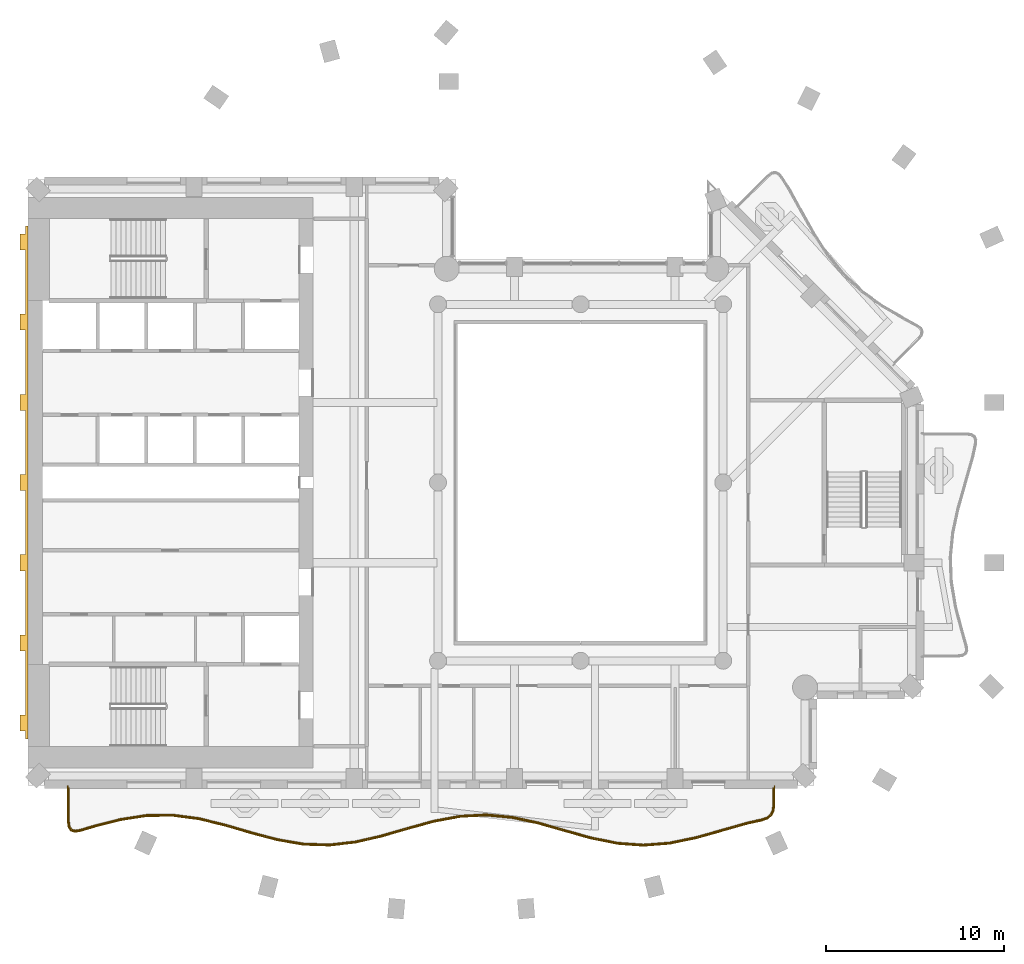
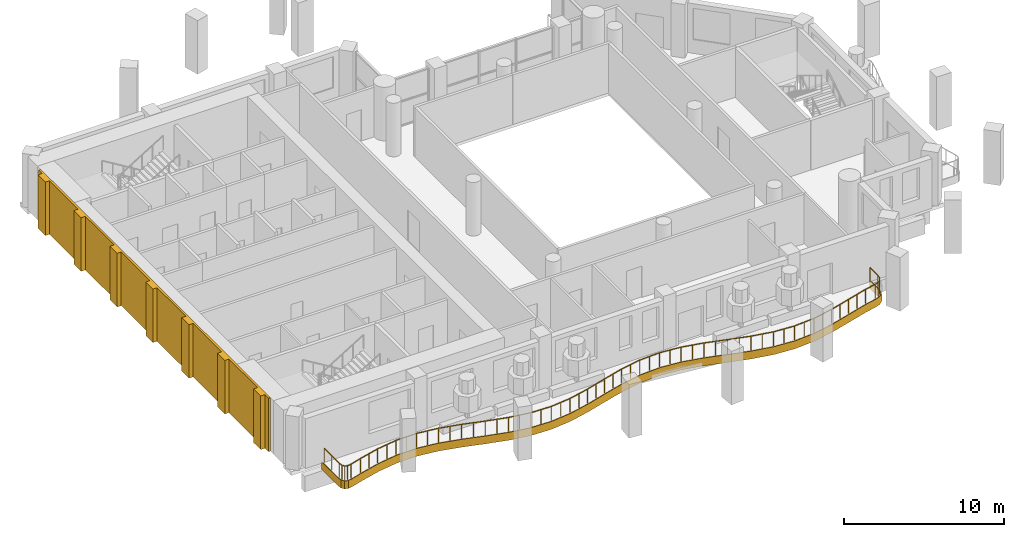
# One storey, part 10 of 14: 2 coverings, 1 railing.
"""IFC4 building model written with IfcOpenShell, lengths in metres."""

import ifcopenshell
import ifcopenshell.guid

model = None  # the IFC model being written
_history = None  # IfcOwnerHistory: only IFC2X3 demands one
_inside = {}  # id of a spatial element -> (the spatial element, [elements in it])
_under = {}  # id of a project, library or spatial element -> (it, [spatial elements below it])
_declared = {}  # id of a project -> (the project, [libraries it declares])
_typed = {}  # id of a type object -> (the type object, [elements of that type])
_made_of = {}  # id of a material, layer set ... -> (it, [elements and type objects made of it])


def new_model(schema):
    """Start an empty IFC model of exactly this schema.

    Asked for "IFC4X3", IfcOpenShell would pick the latest addendum, in which some entities
    have other attributes; the version numbers below select the first issue.
    IFC2X3 requires an IfcOwnerHistory on every rooted entity: one is made here for all.
    """
    global model, _history
    if schema == "IFC4X3":
        model = ifcopenshell.file(schema_version=(4, 3, 0, 0))
    else:
        model = ifcopenshell.file(schema=schema)
    _inside.clear()
    _under.clear()
    _declared.clear()
    _typed.clear()
    _made_of.clear()
    _history = None
    if model.schema == "IFC2X3":
        org = make("IfcOrganization", Name="unknown")
        user = make(
            "IfcPersonAndOrganization",
            ThePerson=make("IfcPerson", FamilyName="unknown"),
            TheOrganization=org,
        )
        app = make(
            "IfcApplication",
            ApplicationDeveloper=org,
            Version="unknown",
            ApplicationFullName="unknown",
            ApplicationIdentifier="unknown",
        )
        _history = make(
            "IfcOwnerHistory",
            OwningUser=user,
            OwningApplication=app,
            ChangeAction="ADDED",
            CreationDate=0,
        )
    return model


def make(cls, **values):
    """One entity of the class cls with the attributes given. An attribute that is None is left unset."""
    return model.create_entity(
        cls, **{name: value for name, value in values.items() if value is not None}
    )


def rooted(cls, **values):
    """An entity with a GlobalId (a new one), such as an element, a storey or a relation."""
    return make(cls, GlobalId=ifcopenshell.guid.new(), OwnerHistory=_history, **values)


def si_unit(unit_type, name, prefix=None):
    """IfcSIUnit, for example si_unit("LENGTHUNIT", "METRE", prefix="MILLI")."""
    return make("IfcSIUnit", UnitType=unit_type, Prefix=prefix, Name=name)


def assignment(units):
    """IfcUnitAssignment: the units of a project."""
    return None if units is None else make("IfcUnitAssignment", Units=units)


def point(xyz):
    """IfcCartesianPoint."""
    return None if xyz is None else make("IfcCartesianPoint", Coordinates=xyz)


def direction(xyz):
    """IfcDirection."""
    return None if xyz is None else make("IfcDirection", DirectionRatios=xyz)


def frame(location, z_axis=None, x_axis=None):
    """IfcAxis2Placement3D, a coordinate frame: its origin and axes. An axis left out is left unset."""
    return make(
        "IfcAxis2Placement3D",
        Location=point(location),
        Axis=direction(z_axis),
        RefDirection=direction(x_axis),
    )


def frame_2d(location, x_axis=None):
    """IfcAxis2Placement2D, a coordinate frame in the plane: its origin and x axis."""
    return make(
        "IfcAxis2Placement2D", Location=point(location), RefDirection=direction(x_axis)
    )


def origin():
    """The frame at (0, 0, 0) with its axes left unset."""
    return frame((0.0, 0.0, 0.0))


def origin_2d():
    """The frame at (0, 0) in the plane with its x axis left unset."""
    return frame_2d((0.0, 0.0))


def place(relative_to, where):
    """IfcLocalPlacement: puts the frame where relative to a parent placement (None: the world)."""
    return make(
        "IfcLocalPlacement", PlacementRelTo=relative_to, RelativePlacement=where
    )


def context(
    kind, dimensions, precision=None, world=None, true_north=None, identifier=None
):
    """IfcGeometricRepresentationContext, for example the 3D "Model" context."""
    return make(
        "IfcGeometricRepresentationContext",
        ContextIdentifier=identifier,
        ContextType=kind,
        CoordinateSpaceDimension=dimensions,
        Precision=precision,
        WorldCoordinateSystem=world,
        TrueNorth=true_north,
    )


def subcontext(parent, identifier, kind, view, scale=None):
    """IfcGeometricRepresentationSubContext, for example "Body" below "Model"."""
    return make(
        "IfcGeometricRepresentationSubContext",
        ContextIdentifier=identifier,
        ContextType=kind,
        ParentContext=parent,
        TargetScale=scale,
        TargetView=view,
    )


def project(units=None, contexts=None):
    """IfcProject with its units and contexts."""
    return rooted(
        "IfcProject",
        Name="project",
        RepresentationContexts=contexts,
        UnitsInContext=assignment(units),
    )


def spatial(cls, under=None, at=None, **own):
    """A site, building, storey or space (cls), placed at a placement, below another one or the project."""
    s = rooted(cls, ObjectPlacement=at, **own)
    if under is not None:
        _under.setdefault(under.id(), (under, []))[1].append(s)
    return s


def polyline(points):
    """IfcPolyline through the points."""
    return make("IfcPolyline", Points=[point(p) for p in points])


def profile(cls, at=None, kind="AREA", **sizes):
    """A parametric profile (cls). Its sizes go by their IFC names, for example OverallWidth=200.0."""
    return make(cls, ProfileType=kind, Position=at, **sizes)


def rectangle(**sizes):
    """IfcRectangleProfileDef."""
    return profile("IfcRectangleProfileDef", **sizes)


def outline(outer, holes=None, kind="AREA"):
    """IfcArbitraryClosedProfileDef: a profile drawn as a closed curve; with holes, ...WithVoids."""
    if holes is None:
        return make("IfcArbitraryClosedProfileDef", ProfileType=kind, OuterCurve=outer)
    return make(
        "IfcArbitraryProfileDefWithVoids",
        ProfileType=kind,
        OuterCurve=outer,
        InnerCurves=holes,
    )


def extrude(swept, where, along, depth):
    """IfcExtrudedAreaSolid: the profile swept, set in the frame where, extruded along a direction by depth."""
    return make(
        "IfcExtrudedAreaSolid",
        SweptArea=swept,
        Position=where,
        ExtrudedDirection=direction(along),
        Depth=depth,
    )


def shape(context_of_items, identifier, shape_type, items):
    """IfcShapeRepresentation: the items that make up one representation, for example the "Body"."""
    return make(
        "IfcShapeRepresentation",
        ContextOfItems=context_of_items,
        RepresentationIdentifier=identifier,
        RepresentationType=shape_type,
        Items=items,
    )


def material(Name=None, Category=None):
    """IfcMaterial."""
    return make("IfcMaterial", Name=Name, Category=Category)


def layer(
    of_material, thickness, ventilated=None, Name=None, Category=None, Priority=None
):
    """IfcMaterialLayer: one layer of a wall or slab, of a material (None: an air gap)."""
    return make(
        "IfcMaterialLayer",
        Material=of_material,
        LayerThickness=thickness,
        IsVentilated=ventilated,
        Name=Name,
        Category=Category,
        Priority=Priority,
    )


def layer_set(layers, Name=None):
    """IfcMaterialLayerSet."""
    return make("IfcMaterialLayerSet", MaterialLayers=layers, LayerSetName=Name)


def made_of(thing, what):
    """Note that an element or type object is made of a material, layer set ...; save() writes the relation."""
    if what is not None:
        _made_of.setdefault(what.id(), (what, []))[1].append(thing)
    return thing


def type_object(cls, material=None, **own):
    """A type object (cls), such as IfcWallType, which elements share."""
    return made_of(rooted(cls, **own), material)


def element(
    cls,
    number,
    at=None,
    inside=None,
    cuts=None,
    type_object=None,
    material=None,
    context=None,
    identifier="Body",
    shape_type=None,
    held_by="IfcProductDefinitionShape",
    body=None,
    shapes=None,
    **own,
):
    """One element of the class cls, such as IfcWall. Its Tag is "e" and its number.

    at: its placement. inside: the storey or other place that contains it. cuts: it is an
    opening in that element (IfcRelVoidsElement). A single representation is given by context,
    identifier, shape_type and body (its items); several are given by shapes. held_by: the class
    of the entity that holds the representations. save() writes the other relations.
    """
    e = rooted(cls, Tag="e%d" % number, ObjectPlacement=at, **own)
    if body is not None:
        shapes = [shape(context, identifier, shape_type, body)]
    if shapes is not None:
        e.Representation = make(held_by, Representations=shapes)
    if inside is not None:
        _inside.setdefault(inside.id(), (inside, []))[1].append(e)
    if cuts is not None:
        rooted(
            "IfcRelVoidsElement", RelatingBuildingElement=cuts, RelatedOpeningElement=e
        )
    if type_object is not None:
        _typed.setdefault(type_object.id(), (type_object, []))[1].append(e)
    return made_of(e, material)


def aggregate(whole, parts):
    """IfcRelAggregates: a whole, such as a stair, and the parts it consists of."""
    return rooted("IfcRelAggregates", RelatingObject=whole, RelatedObjects=parts)


def save(model, path):
    """Write the relations noted so far, then the file.

    IfcRelAggregates (storeys below a building ...), IfcRelContainedInSpatialStructure (elements
    in a storey), IfcRelDefinesByType, IfcRelAssociatesMaterial and IfcRelDeclares: one each for
    every whole, place, type object, material and project.
    """
    for whole, parts in _under.values():
        aggregate(whole, parts)
    for where, things in _inside.values():
        rooted(
            "IfcRelContainedInSpatialStructure",
            RelatedElements=things,
            RelatingStructure=where,
        )
    for kind, things in _typed.values():
        rooted("IfcRelDefinesByType", RelatedObjects=things, RelatingType=kind)
    for what, things in _made_of.values():
        rooted("IfcRelAssociatesMaterial", RelatedObjects=things, RelatingMaterial=what)
    for by, libraries in _declared.values():
        rooted("IfcRelDeclares", RelatingContext=by, RelatedDefinitions=libraries)
    model.write(path)


model = new_model("IFC4")

# Units and contexts
model_context = context("Model", 3, precision=1e-05, world=origin(), true_north=direction((0.0, 1.0)))
body_context = subcontext(model_context, "Body", "Model", "MODEL_VIEW")
ifc_project = project(units=[si_unit("LENGTHUNIT", "METRE"), si_unit("AREAUNIT", "SQUARE_METRE"), si_unit("VOLUMEUNIT", "CUBIC_METRE"), si_unit("PLANEANGLEUNIT", "RADIAN"), si_unit("MASSUNIT", "GRAM", prefix="KILO")], contexts=[model_context])

# Site, building, storey
site_placement = place(None, origin())
site = spatial("IfcSite", under=ifc_project, at=site_placement, CompositionType="ELEMENT")
building_placement = place(site_placement, origin())
building = spatial("IfcBuilding", under=site, at=building_placement, Name="Cypress Arch Tower", CompositionType="ELEMENT")
storey_placement = place(building_placement, frame((0.0, 0.0, 226.10009765625)))
storey = spatial("IfcBuildingStorey", under=building, at=storey_placement, Name="L50", CompositionType="ELEMENT", Elevation=226.10009765625)

# Covering
ifc_material_1 = material(Name="White powder-coated aluminium fascia", Category="aluminium")
ifc_layer_1 = layer(ifc_material_1, 0.050048828125)
ifc_layer_set_1 = layer_set([ifc_layer_1], Name="Balcony fascia BF50")
covering_type_1 = type_object("IfcCoveringType", Name="Balcony fascia BF50", PredefinedType="CLADDING", material=ifc_layer_set_1)
covering_1_placement = place(storey_placement, frame((0.0, 0.0, -0.60009765625)))
element("IfcCovering", 1, at=covering_1_placement, inside=storey, type_object=covering_type_1, Name="Balcony fascia L50-B01", PredefinedType="CLADDING", context=body_context, shape_type="SweptSolid", body=[
    extrude(outline(polyline([(11.89990234375, -18.12158203125), (11.857177734375, -18.43798828125), (11.724609375, -18.6923828125), (11.50390625, -18.875732421875), (11.203857421875, -18.98486328125), (10.3955078125, -19.16015625), (8.930419921875, -19.5791015625), (7.4619140625, -19.99267578125), (5.990234375, -20.29443359375), (4.516845703125, -20.406494140625), (3.043212890625, -20.29931640625), (1.571533203125, -20.001220703125), (0.10302734375, -19.589111328125), (-1.3623046875, -19.1689453125), (-2.824462890625, -18.848388671875), (-4.284423828125, -18.708984375), (-5.744140625, -18.78564453125), (-7.205322265625, -19.0595703125), (-8.669677734375, -19.460693359375), (-10.137451171875, -19.886962890625), (-11.608154296875, -20.228515625), (-13.081298828125, -20.3974609375), (-14.554931640625, -20.349853515625), (-16.02734375, -20.097900390625), (-17.496826171875, -19.70703125), (-18.962890625, -19.27783203125), (-20.426025390625, -18.920654296875), (-21.88623046875, -18.72607421875), (-23.345947265625, -18.743408203125), (-24.806640625, -18.968505859375), (-26.27001953125, -19.34423828125), (-27.079345703125, -19.58154296875), (-27.38330078125, -19.62548828125), (-27.61669921875, -19.548095703125), (-27.756591796875, -19.34619140625), (-27.800048828125, -19.0419921875), (-27.800048828125, -17.0009765625), (-27.75, -17.0009765625), (-27.75, -19.03857421875), (-27.708740234375, -19.327392578125), (-27.5849609375, -19.505859375), (-27.378662109375, -19.574462890625), (-27.090087890625, -19.53271484375), (-26.283447265625, -19.2958984375), (-24.816650390625, -18.91943359375), (-23.35009765625, -18.693359375), (-21.88330078125, -18.676025390625), (-20.416748046875, -18.871337890625), (-18.949951171875, -19.2294921875), (-17.4833984375, -19.65869140625), (-16.0166015625, -20.048828125), (-14.550048828125, -20.2998046875), (-13.083251953125, -20.347412109375), (-11.61669921875, -20.17919921875), (-10.14990234375, -19.83837890625), (-8.683349609375, -19.41259765625), (-7.216552734375, -19.0107421875), (-5.75, -18.736083984375), (-4.283447265625, -18.65869140625), (-2.816650390625, -18.798828125), (-1.35009765625, -19.120361328125), (0.11669921875, -19.541015625), (1.583251953125, -19.95263671875), (3.050048828125, -20.249755859375), (4.5166015625, -20.356201171875), (5.9833984375, -20.244873046875), (7.449951171875, -19.944091796875), (8.916748046875, -19.531005859375), (10.38330078125, -19.111572265625), (11.18994140625, -18.936767578125), (11.478759765625, -18.831787109375), (11.68505859375, -18.660400390625), (11.808837890625, -18.422607421875), (11.85009765625, -18.1181640625), (11.85009765625, -17.0009765625), (11.89990234375, -17.0009765625), (11.89990234375, -18.12158203125)])), origin(), (0.0, 0.0, 1.0), 0.60009765625),
])

# Railing
ifc_material_2 = material(Name="Powder-coated steel posts and rods, 100 mm clear between rods", Category="steel")
railing_type = type_object("IfcRailingType", Name="Balcony guard GR1100", PredefinedType="GUARDRAIL", material=ifc_material_2)
railing_placement = place(storey_placement, frame((11.800048828125, -17.14990234375, 0.0)))
element("IfcRailing", 2, at=railing_placement, inside=storey, type_object=railing_type, Name="Balcony guard L50-B01", PredefinedType="GUARDRAIL", context=body_context, shape_type="SweptSolid", body=[
    extrude(rectangle(XDim=0.050048828125, YDim=0.050048828125, at=origin_2d()), frame((0.0, 0.0, 1.0751953125), z_axis=(0.0, -1.0, 0.0), x_axis=(1.0, 0.0, 0.0)), (0.0, 0.0, 1.0), 0.96484375),
    extrude(rectangle(XDim=0.050048828125, YDim=0.050048828125, at=origin_2d()), frame((0.0, -0.96484375, 1.0751953125), z_axis=(-0.134817924344, -0.990870388737, 0.0), x_axis=(0.990870388737, -0.134817924344, 0.0)), (0.0, 0.0, 1.0), 0.295166015625),
    extrude(rectangle(XDim=0.050048828125, YDim=0.050048828125, at=origin_2d()), frame((-0.039794921875, -1.25732421875, 1.0751953125), z_axis=(-0.461260228994, -0.887264899085, 0.0), x_axis=(0.887264899085, -0.461260228994, 0.0)), (0.0, 0.0, 1.0), 0.249267578125),
    extrude(rectangle(XDim=0.050048828125, YDim=0.050048828125, at=origin_2d()), frame((-0.15478515625, -1.478515625, 1.0751953125), z_axis=(-0.768782900791, -0.639509852505, 0.0), x_axis=(0.639509852505, -0.768782900791, 0.0)), (0.0, 0.0, 1.0), 0.249267578125),
    extrude(rectangle(XDim=0.050048828125, YDim=0.050048828125, at=origin_2d()), frame((-0.346435546875, -1.637939453125, 1.0751953125), z_axis=(-0.940179109622, -0.340680556873, 0.0), x_axis=(0.340680556873, -0.940179109622, 0.0)), (0.0, 0.0, 1.0), 0.295166015625),
    extrude(rectangle(XDim=0.050048828125, YDim=0.050048828125, at=origin_2d()), frame((-0.6240234375, -1.738525390625, 1.0751953125), z_axis=(-0.977221817648, -0.212220449328, 0.0), x_axis=(0.212220449328, -0.977221817648, 0.0)), (0.0, 0.0, 1.0), 0.82373046875),
    extrude(rectangle(XDim=0.050048828125, YDim=0.050048828125, at=origin_2d()), frame((-1.428955078125, -1.913330078125, 1.0751953125), z_axis=(-0.961481698409, -0.274868957187, 0.0), x_axis=(0.274868957187, -0.961481698409, 0.0)), (0.0, 0.0, 1.0), 1.52685546875),
    extrude(rectangle(XDim=0.050048828125, YDim=0.050048828125, at=origin_2d()), frame((-2.89697265625, -2.3330078125, 1.0751953125), z_axis=(-0.962546338489, -0.271117218674, 0.0), x_axis=(0.271117218674, -0.962546338489, 0.0)), (0.0, 0.0, 1.0), 1.521728515625),
    extrude(rectangle(XDim=0.050048828125, YDim=0.050048828125, at=origin_2d()), frame((-4.36181640625, -2.74560546875, 1.0751953125), z_axis=(-0.979612608102, -0.200895838802, 0.0), x_axis=(0.200895838802, -0.979612608102, 0.0)), (0.0, 0.0, 1.0), 1.492431640625),
    extrude(rectangle(XDim=0.050048828125, YDim=0.050048828125, at=origin_2d()), frame((-5.82373046875, -3.04541015625, 1.0751953125), z_axis=(-0.997129539809, -0.075714469154, 0.0), x_axis=(0.075714469154, -0.997129539809, 0.0)), (0.0, 0.0, 1.0), 1.4638671875),
    extrude(rectangle(XDim=0.050048828125, YDim=0.050048828125, at=origin_2d()), frame((-7.283447265625, -3.15625, 1.0751953125), z_axis=(-0.997375900569, 0.072396912669, 0.0), x_axis=(-0.072396912669, -0.997375900569, 0.0)), (0.0, 0.0, 1.0), 1.463623046875),
    extrude(rectangle(XDim=0.050048828125, YDim=0.050048828125, at=origin_2d()), frame((-8.7431640625, -3.05029296875, 1.0751953125), z_axis=(-0.980061086338, 0.198696419308, 0.0), x_axis=(-0.198696419308, -0.980061086338, 0.0)), (0.0, 0.0, 1.0), 1.49169921875),
    extrude(rectangle(XDim=0.050048828125, YDim=0.050048828125, at=origin_2d()), frame((-10.205078125, -2.75390625, 1.0751953125), z_axis=(-0.962827210782, 0.2701180523, 0.0), x_axis=(-0.2701180523, -0.962827210782, 0.0)), (0.0, 0.0, 1.0), 1.521240234375),
    extrude(rectangle(XDim=0.050048828125, YDim=0.050048828125, at=origin_2d()), frame((-11.669677734375, -2.343017578125, 1.0751953125), z_axis=(-0.961270167249, 0.275607811132, 0.0), x_axis=(-0.275607811132, -0.961270167249, 0.0)), (0.0, 0.0, 1.0), 1.527099609375),
    extrude(rectangle(XDim=0.050048828125, YDim=0.050048828125, at=origin_2d()), frame((-13.1376953125, -1.922119140625, 1.0751953125), z_axis=(-0.97680474626, 0.214131939895, 0.0), x_axis=(-0.214131939895, -0.97680474626, 0.0)), (0.0, 0.0, 1.0), 1.506103515625),
    extrude(rectangle(XDim=0.050048828125, YDim=0.050048828125, at=origin_2d()), frame((-14.60888671875, -1.599609375, 1.0751953125), z_axis=(-0.995460562441, 0.095174936956, 0.0), x_axis=(-0.095174936956, -0.995460562441, 0.0)), (0.0, 0.0, 1.0), 1.480224609375),
    extrude(rectangle(XDim=0.050048828125, YDim=0.050048828125, at=origin_2d()), frame((-16.082275390625, -1.458740234375, 1.0751953125), z_axis=(-0.998615085821, -0.052610933945, 0.0), x_axis=(0.052610933945, -0.998615085821, 0.0)), (0.0, 0.0, 1.0), 1.4755859375),
    extrude(rectangle(XDim=0.050048828125, YDim=0.050048828125, at=origin_2d()), frame((-17.555908203125, -1.536376953125, 1.0751953125), z_axis=(-0.982914610472, -0.184062132231, 0.0), x_axis=(0.184062132231, -0.982914610472, 0.0)), (0.0, 0.0, 1.0), 1.49755859375),
    extrude(rectangle(XDim=0.050048828125, YDim=0.050048828125, at=origin_2d()), frame((-19.02783203125, -1.81201171875, 1.0751953125), z_axis=(-0.964448775192, -0.264269862129, 0.0), x_axis=(0.264269862129, -0.964448775192, 0.0)), (0.0, 0.0, 1.0), 1.5234375),
    extrude(rectangle(XDim=0.050048828125, YDim=0.050048828125, at=origin_2d()), frame((-20.4970703125, -2.214599609375, 1.0751953125), z_axis=(-0.960337935809, -0.278838750977, 0.0), x_axis=(0.278838750977, -0.960337935809, 0.0)), (0.0, 0.0, 1.0), 1.526123046875),
    extrude(rectangle(XDim=0.050048828125, YDim=0.050048828125, at=origin_2d()), frame((-21.962646484375, -2.64013671875, 1.0751953125), z_axis=(-0.97405305471, -0.226319788375, 0.0), x_axis=(0.226319788375, -0.97405305471, 0.0)), (0.0, 0.0, 1.0), 1.501708984375),
    extrude(rectangle(XDim=0.050048828125, YDim=0.050048828125, at=origin_2d()), frame((-23.42529296875, -2.97998046875, 1.0751953125), z_axis=(-0.993486546778, -0.113949468499, 0.0), x_axis=(0.113949468499, -0.993486546778, 0.0)), (0.0, 0.0, 1.0), 1.4697265625),
    extrude(rectangle(XDim=0.050048828125, YDim=0.050048828125, at=origin_2d()), frame((-24.885498046875, -3.1474609375, 1.0751953125), z_axis=(-0.999473838855, 0.03243525004, 0.0), x_axis=(-0.03243525004, -0.999473838855, 0.0)), (0.0, 0.0, 1.0), 1.460205078125),
    extrude(rectangle(XDim=0.050048828125, YDim=0.050048828125, at=origin_2d()), frame((-26.344970703125, -3.10009765625, 1.0751953125), z_axis=(-0.985677056418, 0.168643827197, 0.0), x_axis=(-0.168643827197, -0.985677056418, 0.0)), (0.0, 0.0, 1.0), 1.482421875),
    extrude(rectangle(XDim=0.050048828125, YDim=0.050048828125, at=origin_2d()), frame((-27.80615234375, -2.85009765625, 1.0751953125), z_axis=(-0.966392587376, 0.257070743306, 0.0), x_axis=(-0.257070743306, -0.966392587376, 0.0)), (0.0, 0.0, 1.0), 1.514892578125),
    extrude(rectangle(XDim=0.050048828125, YDim=0.050048828125, at=origin_2d()), frame((-29.27001953125, -2.460693359375, 1.0751953125), z_axis=(-0.959768907757, 0.280791103318, 0.0), x_axis=(-0.280791103318, -0.959768907757, 0.0)), (0.0, 0.0, 1.0), 1.528564453125),
    extrude(rectangle(XDim=0.050048828125, YDim=0.050048828125, at=origin_2d()), frame((-30.737060546875, -2.031494140625, 1.0751953125), z_axis=(-0.971446937637, 0.237256922674, 0.0), x_axis=(-0.237256922674, -0.971446937637, 0.0)), (0.0, 0.0, 1.0), 1.513671875),
    extrude(rectangle(XDim=0.050048828125, YDim=0.050048828125, at=origin_2d()), frame((-32.20751953125, -1.67236328125, 1.0751953125), z_axis=(-0.991236508313, 0.132099146807, 0.0), x_axis=(-0.132099146807, -0.991236508313, 0.0)), (0.0, 0.0, 1.0), 1.48583984375),
    extrude(rectangle(XDim=0.050048828125, YDim=0.050048828125, at=origin_2d()), frame((-33.680419921875, -1.47607421875, 1.0751953125), z_axis=(-0.999928887439, -0.011925605416, 0.0), x_axis=(0.011925605416, -0.999928887439, 0.0)), (0.0, 0.0, 1.0), 1.473876953125),
    extrude(rectangle(XDim=0.050048828125, YDim=0.050048828125, at=origin_2d()), frame((-35.154296875, -1.49365234375, 1.0751953125), z_axis=(-0.988343262382, -0.152241898649, 0.0), x_axis=(0.152241898649, -0.988343262382, 0.0)), (0.0, 0.0, 1.0), 1.48974609375),
    extrude(rectangle(XDim=0.050048828125, YDim=0.050048828125, at=origin_2d()), frame((-36.626708984375, -1.720458984375, 1.0751953125), z_axis=(-0.968580450405, -0.248700444499, 0.0), x_axis=(0.248700444499, -0.968580450405, 0.0)), (0.0, 0.0, 1.0), 1.517578125),
    extrude(rectangle(XDim=0.050048828125, YDim=0.050048828125, at=origin_2d()), frame((-38.0966796875, -2.097900390625, 1.0751953125), z_axis=(-0.959564784001, -0.281487877724, 0.0), x_axis=(0.281487877724, -0.959564784001, 0.0)), (0.0, 0.0, 1.0), 0.837890625),
    extrude(rectangle(XDim=0.050048828125, YDim=0.050048828125, at=origin_2d()), frame((-38.900634765625, -2.333740234375, 1.0751953125), z_axis=(-0.989718638401, -0.143028028029, 0.0), x_axis=(0.143028028029, -0.989718638401, 0.0)), (0.0, 0.0, 1.0), 0.276611328125),
    extrude(rectangle(XDim=0.050048828125, YDim=0.050048828125, at=origin_2d()), frame((-39.17431640625, -2.373291015625, 1.0751953125), z_axis=(-0.949327995564, 0.314287061202, 0.0), x_axis=(-0.314287061202, -0.949327995564, 0.0)), (0.0, 0.0, 1.0), 0.188720703125),
    extrude(rectangle(XDim=0.050048828125, YDim=0.050048828125, at=origin_2d()), frame((-39.353515625, -2.31396484375, 1.0751953125), z_axis=(-0.568940994451, 0.822378346525, 0.0), x_axis=(-0.822378346525, -0.568940994451, 0.0)), (0.0, 0.0, 1.0), 0.188720703125),
    extrude(rectangle(XDim=0.050048828125, YDim=0.050048828125, at=origin_2d()), frame((-39.4609375, -2.15869140625, 1.0751953125), z_axis=(-0.14129771963, 0.989967148156, 0.0), x_axis=(-0.989967148156, -0.14129771963, 0.0)), (0.0, 0.0, 1.0), 0.2763671875),
    extrude(rectangle(XDim=0.050048828125, YDim=0.050048828125, at=origin_2d()), frame((-39.5, -1.885009765625, 1.0751953125), z_axis=(0.0, 1.0, 0.0), x_axis=(-1.0, 0.0, 0.0)), (0.0, 0.0, 1.0), 1.885009765625),
    extrude(rectangle(XDim=0.0400390625, YDim=0.0400390625, at=origin_2d()), origin(), (0.0, 0.0, 1.0), 1.050048828125),
    extrude(rectangle(XDim=0.0400390625, YDim=0.0400390625, at=origin_2d()), frame((0.0, -0.96484375, 0.0)), (0.0, 0.0, 1.0), 1.050048828125),
    extrude(rectangle(XDim=0.0400390625, YDim=0.0400390625, at=origin_2d()), frame((-0.039794921875, -1.25732421875, 0.0)), (0.0, 0.0, 1.0), 1.050048828125),
    extrude(rectangle(XDim=0.0400390625, YDim=0.0400390625, at=origin_2d()), frame((-0.15478515625, -1.478515625, 0.0)), (0.0, 0.0, 1.0), 1.050048828125),
    extrude(rectangle(XDim=0.0400390625, YDim=0.0400390625, at=origin_2d()), frame((-0.346435546875, -1.637939453125, 0.0)), (0.0, 0.0, 1.0), 1.050048828125),
    extrude(rectangle(XDim=0.0400390625, YDim=0.0400390625, at=origin_2d()), frame((-0.6240234375, -1.738525390625, 0.0)), (0.0, 0.0, 1.0), 1.050048828125),
    extrude(rectangle(XDim=0.0400390625, YDim=0.0400390625, at=origin_2d()), frame((-1.428955078125, -1.913330078125, 0.0)), (0.0, 0.0, 1.0), 1.050048828125),
    extrude(rectangle(XDim=0.0400390625, YDim=0.0400390625, at=origin_2d()), frame((-2.1630859375, -2.123046875, 0.0)), (0.0, 0.0, 1.0), 1.050048828125),
    extrude(rectangle(XDim=0.0400390625, YDim=0.0400390625, at=origin_2d()), frame((-2.89697265625, -2.3330078125, 0.0)), (0.0, 0.0, 1.0), 1.050048828125),
    extrude(rectangle(XDim=0.0400390625, YDim=0.0400390625, at=origin_2d()), frame((-3.62939453125, -2.539306640625, 0.0)), (0.0, 0.0, 1.0), 1.050048828125),
    extrude(rectangle(XDim=0.0400390625, YDim=0.0400390625, at=origin_2d()), frame((-4.36181640625, -2.74560546875, 0.0)), (0.0, 0.0, 1.0), 1.050048828125),
    extrude(rectangle(XDim=0.0400390625, YDim=0.0400390625, at=origin_2d()), frame((-5.0927734375, -2.8955078125, 0.0)), (0.0, 0.0, 1.0), 1.050048828125),
    extrude(rectangle(XDim=0.0400390625, YDim=0.0400390625, at=origin_2d()), frame((-5.82373046875, -3.04541015625, 0.0)), (0.0, 0.0, 1.0), 1.050048828125),
    extrude(rectangle(XDim=0.0400390625, YDim=0.0400390625, at=origin_2d()), frame((-6.5537109375, -3.100830078125, 0.0)), (0.0, 0.0, 1.0), 1.050048828125),
    extrude(rectangle(XDim=0.0400390625, YDim=0.0400390625, at=origin_2d()), frame((-7.283447265625, -3.15625, 0.0)), (0.0, 0.0, 1.0), 1.050048828125),
    extrude(rectangle(XDim=0.0400390625, YDim=0.0400390625, at=origin_2d()), frame((-8.01318359375, -3.103271484375, 0.0)), (0.0, 0.0, 1.0), 1.050048828125),
    extrude(rectangle(XDim=0.0400390625, YDim=0.0400390625, at=origin_2d()), frame((-8.7431640625, -3.05029296875, 0.0)), (0.0, 0.0, 1.0), 1.050048828125),
    extrude(rectangle(XDim=0.0400390625, YDim=0.0400390625, at=origin_2d()), frame((-9.47412109375, -2.902099609375, 0.0)), (0.0, 0.0, 1.0), 1.050048828125),
    extrude(rectangle(XDim=0.0400390625, YDim=0.0400390625, at=origin_2d()), frame((-10.205078125, -2.75390625, 0.0)), (0.0, 0.0, 1.0), 1.050048828125),
    extrude(rectangle(XDim=0.0400390625, YDim=0.0400390625, at=origin_2d()), frame((-10.9375, -2.54833984375, 0.0)), (0.0, 0.0, 1.0), 1.050048828125),
    extrude(rectangle(XDim=0.0400390625, YDim=0.0400390625, at=origin_2d()), frame((-11.669677734375, -2.343017578125, 0.0)), (0.0, 0.0, 1.0), 1.050048828125),
    extrude(rectangle(XDim=0.0400390625, YDim=0.0400390625, at=origin_2d()), frame((-12.40380859375, -2.132568359375, 0.0)), (0.0, 0.0, 1.0), 1.050048828125),
    extrude(rectangle(XDim=0.0400390625, YDim=0.0400390625, at=origin_2d()), frame((-13.1376953125, -1.922119140625, 0.0)), (0.0, 0.0, 1.0), 1.050048828125),
    extrude(rectangle(XDim=0.0400390625, YDim=0.0400390625, at=origin_2d()), frame((-13.873291015625, -1.7607421875, 0.0)), (0.0, 0.0, 1.0), 1.050048828125),
    extrude(rectangle(XDim=0.0400390625, YDim=0.0400390625, at=origin_2d()), frame((-14.60888671875, -1.599609375, 0.0)), (0.0, 0.0, 1.0), 1.050048828125),
    extrude(rectangle(XDim=0.0400390625, YDim=0.0400390625, at=origin_2d()), frame((-15.345703125, -1.529296875, 0.0)), (0.0, 0.0, 1.0), 1.050048828125),
    extrude(rectangle(XDim=0.0400390625, YDim=0.0400390625, at=origin_2d()), frame((-16.082275390625, -1.458740234375, 0.0)), (0.0, 0.0, 1.0), 1.050048828125),
    extrude(rectangle(XDim=0.0400390625, YDim=0.0400390625, at=origin_2d()), frame((-16.819091796875, -1.49755859375, 0.0)), (0.0, 0.0, 1.0), 1.050048828125),
    extrude(rectangle(XDim=0.0400390625, YDim=0.0400390625, at=origin_2d()), frame((-17.555908203125, -1.536376953125, 0.0)), (0.0, 0.0, 1.0), 1.050048828125),
    extrude(rectangle(XDim=0.0400390625, YDim=0.0400390625, at=origin_2d()), frame((-18.2919921875, -1.67431640625, 0.0)), (0.0, 0.0, 1.0), 1.050048828125),
    extrude(rectangle(XDim=0.0400390625, YDim=0.0400390625, at=origin_2d()), frame((-19.02783203125, -1.81201171875, 0.0)), (0.0, 0.0, 1.0), 1.050048828125),
    extrude(rectangle(XDim=0.0400390625, YDim=0.0400390625, at=origin_2d()), frame((-19.762451171875, -2.01318359375, 0.0)), (0.0, 0.0, 1.0), 1.050048828125),
    extrude(rectangle(XDim=0.0400390625, YDim=0.0400390625, at=origin_2d()), frame((-20.4970703125, -2.214599609375, 0.0)), (0.0, 0.0, 1.0), 1.050048828125),
    extrude(rectangle(XDim=0.0400390625, YDim=0.0400390625, at=origin_2d()), frame((-21.22998046875, -2.42724609375, 0.0)), (0.0, 0.0, 1.0), 1.050048828125),
    extrude(rectangle(XDim=0.0400390625, YDim=0.0400390625, at=origin_2d()), frame((-21.962646484375, -2.64013671875, 0.0)), (0.0, 0.0, 1.0), 1.050048828125),
    extrude(rectangle(XDim=0.0400390625, YDim=0.0400390625, at=origin_2d()), frame((-22.69384765625, -2.81005859375, 0.0)), (0.0, 0.0, 1.0), 1.050048828125),
    extrude(rectangle(XDim=0.0400390625, YDim=0.0400390625, at=origin_2d()), frame((-23.42529296875, -2.97998046875, 0.0)), (0.0, 0.0, 1.0), 1.050048828125),
    extrude(rectangle(XDim=0.0400390625, YDim=0.0400390625, at=origin_2d()), frame((-24.1552734375, -3.063720703125, 0.0)), (0.0, 0.0, 1.0), 1.050048828125),
    extrude(rectangle(XDim=0.0400390625, YDim=0.0400390625, at=origin_2d()), frame((-24.885498046875, -3.1474609375, 0.0)), (0.0, 0.0, 1.0), 1.050048828125),
    extrude(rectangle(XDim=0.0400390625, YDim=0.0400390625, at=origin_2d()), frame((-25.615234375, -3.123779296875, 0.0)), (0.0, 0.0, 1.0), 1.050048828125),
    extrude(rectangle(XDim=0.0400390625, YDim=0.0400390625, at=origin_2d()), frame((-26.344970703125, -3.10009765625, 0.0)), (0.0, 0.0, 1.0), 1.050048828125),
    extrude(rectangle(XDim=0.0400390625, YDim=0.0400390625, at=origin_2d()), frame((-27.07568359375, -2.97509765625, 0.0)), (0.0, 0.0, 1.0), 1.050048828125),
    extrude(rectangle(XDim=0.0400390625, YDim=0.0400390625, at=origin_2d()), frame((-27.80615234375, -2.85009765625, 0.0)), (0.0, 0.0, 1.0), 1.050048828125),
    extrude(rectangle(XDim=0.0400390625, YDim=0.0400390625, at=origin_2d()), frame((-28.5380859375, -2.6552734375, 0.0)), (0.0, 0.0, 1.0), 1.050048828125),
    extrude(rectangle(XDim=0.0400390625, YDim=0.0400390625, at=origin_2d()), frame((-29.27001953125, -2.460693359375, 0.0)), (0.0, 0.0, 1.0), 1.050048828125),
    extrude(rectangle(XDim=0.0400390625, YDim=0.0400390625, at=origin_2d()), frame((-30.00341796875, -2.24609375, 0.0)), (0.0, 0.0, 1.0), 1.050048828125),
    extrude(rectangle(XDim=0.0400390625, YDim=0.0400390625, at=origin_2d()), frame((-30.737060546875, -2.031494140625, 0.0)), (0.0, 0.0, 1.0), 1.050048828125),
    extrude(rectangle(XDim=0.0400390625, YDim=0.0400390625, at=origin_2d()), frame((-31.47216796875, -1.85205078125, 0.0)), (0.0, 0.0, 1.0), 1.050048828125),
    extrude(rectangle(XDim=0.0400390625, YDim=0.0400390625, at=origin_2d()), frame((-32.20751953125, -1.67236328125, 0.0)), (0.0, 0.0, 1.0), 1.050048828125),
    extrude(rectangle(XDim=0.0400390625, YDim=0.0400390625, at=origin_2d()), frame((-32.94384765625, -1.57421875, 0.0)), (0.0, 0.0, 1.0), 1.050048828125),
    extrude(rectangle(XDim=0.0400390625, YDim=0.0400390625, at=origin_2d()), frame((-33.680419921875, -1.47607421875, 0.0)), (0.0, 0.0, 1.0), 1.050048828125),
    extrude(rectangle(XDim=0.0400390625, YDim=0.0400390625, at=origin_2d()), frame((-34.41748046875, -1.48486328125, 0.0)), (0.0, 0.0, 1.0), 1.050048828125),
    extrude(rectangle(XDim=0.0400390625, YDim=0.0400390625, at=origin_2d()), frame((-35.154296875, -1.49365234375, 0.0)), (0.0, 0.0, 1.0), 1.050048828125),
    extrude(rectangle(XDim=0.0400390625, YDim=0.0400390625, at=origin_2d()), frame((-35.890625, -1.60693359375, 0.0)), (0.0, 0.0, 1.0), 1.050048828125),
    extrude(rectangle(XDim=0.0400390625, YDim=0.0400390625, at=origin_2d()), frame((-36.626708984375, -1.720458984375, 0.0)), (0.0, 0.0, 1.0), 1.050048828125),
    extrude(rectangle(XDim=0.0400390625, YDim=0.0400390625, at=origin_2d()), frame((-37.36181640625, -1.9091796875, 0.0)), (0.0, 0.0, 1.0), 1.050048828125),
    extrude(rectangle(XDim=0.0400390625, YDim=0.0400390625, at=origin_2d()), frame((-38.0966796875, -2.097900390625, 0.0)), (0.0, 0.0, 1.0), 1.050048828125),
    extrude(rectangle(XDim=0.0400390625, YDim=0.0400390625, at=origin_2d()), frame((-38.900634765625, -2.333740234375, 0.0)), (0.0, 0.0, 1.0), 1.050048828125),
    extrude(rectangle(XDim=0.0400390625, YDim=0.0400390625, at=origin_2d()), frame((-39.17431640625, -2.373291015625, 0.0)), (0.0, 0.0, 1.0), 1.050048828125),
    extrude(rectangle(XDim=0.0400390625, YDim=0.0400390625, at=origin_2d()), frame((-39.353515625, -2.31396484375, 0.0)), (0.0, 0.0, 1.0), 1.050048828125),
    extrude(rectangle(XDim=0.0400390625, YDim=0.0400390625, at=origin_2d()), frame((-39.4609375, -2.15869140625, 0.0)), (0.0, 0.0, 1.0), 1.050048828125),
    extrude(rectangle(XDim=0.0400390625, YDim=0.0400390625, at=origin_2d()), frame((-39.5, -1.885009765625, 0.0)), (0.0, 0.0, 1.0), 1.050048828125),
    extrude(rectangle(XDim=0.0400390625, YDim=0.0400390625, at=origin_2d()), frame((-39.5, -0.9423828125, 0.0)), (0.0, 0.0, 1.0), 1.050048828125),
    extrude(rectangle(XDim=0.0400390625, YDim=0.0400390625, at=origin_2d()), frame((-39.5, 0.0, 0.0)), (0.0, 0.0, 1.0), 1.050048828125),
])

# Covering
ifc_material_3 = material(Name="Brick (red buff blend)", Category="masonry")
ifc_layer_2 = layer(ifc_material_3, 0.449951171875)
ifc_layer_set_2 = layer_set([ifc_layer_2], Name="West face brick piers WP450")
covering_type_2 = type_object("IfcCoveringType", Name="West face brick piers WP450", PredefinedType="CLADDING", material=ifc_layer_set_2)
covering_2_placement = place(storey_placement, origin())
element("IfcCovering", 3, at=covering_2_placement, inside=storey, type_object=covering_type_2, Name="West face brick piers L50", PredefinedType="CLADDING", context=body_context, shape_type="SweptSolid", body=[
    extrude(outline(polyline([(-30.14990234375, -13.050048828125), (-30.14990234375, -9.449951171875), (-30.449951171875, -9.449951171875), (-30.449951171875, -8.550048828125), (-30.14990234375, -8.550048828125), (-30.14990234375, -4.949951171875), (-30.449951171875, -4.949951171875), (-30.449951171875, -4.050048828125), (-30.14990234375, -4.050048828125), (-30.14990234375, -0.449951171875), (-30.449951171875, -0.449951171875), (-30.449951171875, 0.449951171875), (-30.14990234375, 0.449951171875), (-30.14990234375, 4.050048828125), (-30.449951171875, 4.050048828125), (-30.449951171875, 4.949951171875), (-30.14990234375, 4.949951171875), (-30.14990234375, 8.550048828125), (-30.449951171875, 8.550048828125), (-30.449951171875, 9.449951171875), (-30.14990234375, 9.449951171875), (-30.14990234375, 13.050048828125), (-30.449951171875, 13.050048828125), (-30.449951171875, 13.949951171875), (-30.14990234375, 13.949951171875), (-30.14990234375, 14.39990234375), (-30.0, 14.39990234375), (-30.0, -14.39990234375), (-30.14990234375, -14.39990234375), (-30.14990234375, -13.949951171875), (-30.449951171875, -13.949951171875), (-30.449951171875, -13.050048828125), (-30.14990234375, -13.050048828125)])), origin(), (0.0, 0.0, 1.0), 4.099853515625),
])

save(model, "model.ifc")
